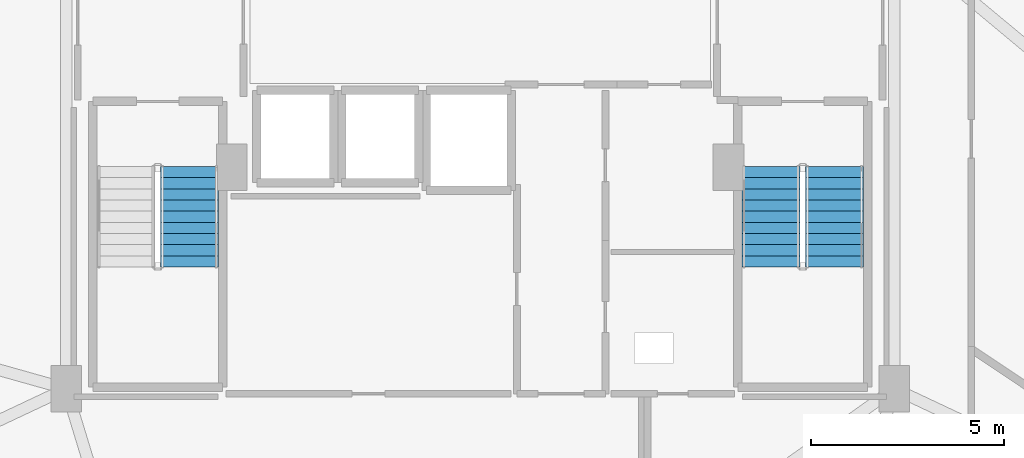
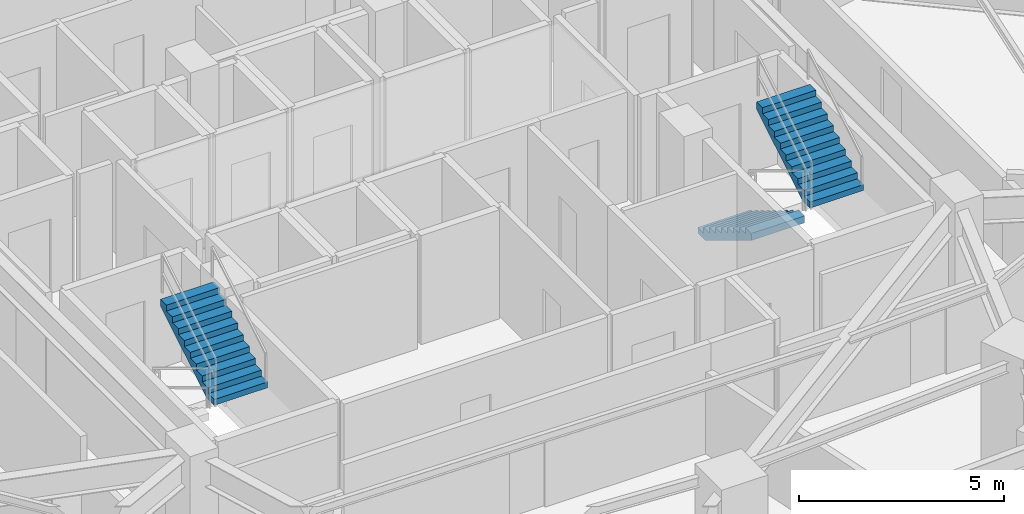
# One storey, part 30 of 33: 3 stair flights, 2 elements without a shape of their own.
"""IFC4 building model written with IfcOpenShell, lengths in metres."""

from ifc_helpers import new_model, si_unit, direction, frame, origin, place, context, subcontext, project, spatial, polyline, outline, extrude, material, type_object, element, aggregate, save


model = new_model("IFC4")

# Units and contexts
model_context = context("Model", 3, precision=1e-05, world=origin(), true_north=direction((0.0, 1.0)))
body_context = subcontext(model_context, "Body", "Model", "MODEL_VIEW")
ifc_project = project(units=[si_unit("LENGTHUNIT", "METRE"), si_unit("AREAUNIT", "SQUARE_METRE"), si_unit("VOLUMEUNIT", "CUBIC_METRE"), si_unit("PLANEANGLEUNIT", "RADIAN"), si_unit("MASSUNIT", "GRAM", prefix="KILO")], contexts=[model_context])

# Site, building, storey
site_placement = place(None, origin())
site = spatial("IfcSite", under=ifc_project, at=site_placement, CompositionType="ELEMENT")
building_placement = place(site_placement, origin())
building = spatial("IfcBuilding", under=site, at=building_placement, Name="Vorneva Point Tower", CompositionType="ELEMENT")
storey_placement = place(building_placement, frame((0.0, 0.0, 34.5)))
storey = spatial("IfcBuildingStorey", under=building, at=storey_placement, Name="L08", CompositionType="ELEMENT", Elevation=34.5)

# Stair, stair flight
ifc_material = material(Name="Concrete B50 (C40/50)", Category="concrete")
stair_type = type_object("IfcStairType", Name="ST-DOG-1500", PredefinedType="HALF_TURN_STAIR", material=ifc_material)
stair_1_placement = place(storey_placement, origin())
stair_1 = element("IfcStair", 1, at=stair_1_placement, inside=storey, type_object=stair_type, Name="L08 ST1", PredefinedType="HALF_TURN_STAIR")
stair_flight_type = type_object("IfcStairFlightType", Name="STF-1500", PredefinedType="STRAIGHT", material=ifc_material)
stair_flight_1_placement = place(storey_placement, frame((30.449951171875, 19.610107421875, 1.75), z_axis=(0.0, 0.0, 1.0), x_axis=(0.0, 1.0, 0.0)))
stair_flight_1 = element("IfcStairFlight", 2, at=stair_flight_1_placement, type_object=stair_flight_type, Name="ST1 flight 2", NumberOfRisers=10, NumberOfTreads=9, PredefinedType="STRAIGHT", RiserHeight=0.175, TreadLength=0.29, context=body_context, shape_type="SweptSolid", body=[
    extrude(outline(polyline([(0.0, 0.0), (0.0, 0.175048828125), (0.2900390625, 0.175048828125), (0.2900390625, 0.35009765625), (0.580078125, 0.35009765625), (0.580078125, 0.52490234375), (0.8701171875, 0.52490234375), (0.8701171875, 0.699951171875), (1.159912109375, 0.699951171875), (1.159912109375, 0.875), (1.449951171875, 0.875), (1.449951171875, 1.050048828125), (1.739990234375, 1.050048828125), (1.739990234375, 1.22509765625), (2.030029296875, 1.22509765625), (2.030029296875, 1.39990234375), (2.320068359375, 1.39990234375), (2.320068359375, 1.574951171875), (2.610107421875, 1.574951171875), (2.610107421875, 1.75), (2.610107421875, 1.36474609375), (0.34814453125, 0.0), (0.0, 0.0)])), frame((0.0, 0.75, 0.0), z_axis=(0.0, -1.0, 0.0), x_axis=(1.0, 0.0, 0.0)), (0.0, 0.0, 1.0), 1.5),
])
aggregate(stair_1, [stair_flight_1])

# Stair, stair flights
stair_2_placement = place(storey_placement, origin())
stair_2 = element("IfcStair", 3, at=stair_2_placement, inside=storey, type_object=stair_type, Name="L08 ST2", PredefinedType="HALF_TURN_STAIR")
stair_flight_2_placement = place(storey_placement, frame((45.550048828125, 22.219970703125, 0.0), z_axis=(0.0, 0.0, 1.0), x_axis=(0.0, -1.0, 0.0)))
stair_flight_2 = element("IfcStairFlight", 4, at=stair_flight_2_placement, type_object=stair_flight_type, Name="ST2 flight 1", NumberOfRisers=10, NumberOfTreads=9, PredefinedType="STRAIGHT", RiserHeight=0.175, TreadLength=0.29, context=body_context, shape_type="SweptSolid", body=[
    extrude(outline(polyline([(0.0, 0.0), (0.0, 0.175048828125), (0.2900390625, 0.175048828125), (0.2900390625, 0.35009765625), (0.580078125, 0.35009765625), (0.580078125, 0.52490234375), (0.8701171875, 0.52490234375), (0.8701171875, 0.699951171875), (1.159912109375, 0.699951171875), (1.159912109375, 0.875), (1.449951171875, 0.875), (1.449951171875, 1.050048828125), (1.739990234375, 1.050048828125), (1.739990234375, 1.22509765625), (2.030029296875, 1.22509765625), (2.030029296875, 1.39990234375), (2.320068359375, 1.39990234375), (2.320068359375, 1.574951171875), (2.610107421875, 1.574951171875), (2.610107421875, 1.75), (2.610107421875, 1.36474609375), (0.34814453125, 0.0), (0.0, 0.0)])), frame((0.0, 0.75, 0.0), z_axis=(0.0, -1.0, 0.0), x_axis=(1.0, 0.0, 0.0)), (0.0, 0.0, 1.0), 1.5),
])
stair_flight_3_placement = place(storey_placement, frame((47.199951171875, 19.610107421875, 1.75), z_axis=(0.0, 0.0, 1.0), x_axis=(0.0, 1.0, 0.0)))
stair_flight_3 = element("IfcStairFlight", 5, at=stair_flight_3_placement, type_object=stair_flight_type, Name="ST2 flight 2", NumberOfRisers=10, NumberOfTreads=9, PredefinedType="STRAIGHT", RiserHeight=0.175, TreadLength=0.29, context=body_context, shape_type="SweptSolid", body=[
    extrude(outline(polyline([(0.0, 0.0), (0.0, 0.175048828125), (0.2900390625, 0.175048828125), (0.2900390625, 0.35009765625), (0.580078125, 0.35009765625), (0.580078125, 0.52490234375), (0.8701171875, 0.52490234375), (0.8701171875, 0.699951171875), (1.159912109375, 0.699951171875), (1.159912109375, 0.875), (1.449951171875, 0.875), (1.449951171875, 1.050048828125), (1.739990234375, 1.050048828125), (1.739990234375, 1.22509765625), (2.030029296875, 1.22509765625), (2.030029296875, 1.39990234375), (2.320068359375, 1.39990234375), (2.320068359375, 1.574951171875), (2.610107421875, 1.574951171875), (2.610107421875, 1.75), (2.610107421875, 1.36474609375), (0.34814453125, 0.0), (0.0, 0.0)])), frame((0.0, 0.75, 0.0), z_axis=(0.0, -1.0, 0.0), x_axis=(1.0, 0.0, 0.0)), (0.0, 0.0, 1.0), 1.5),
])
aggregate(stair_2, [stair_flight_2, stair_flight_3])

save(model, "model.ifc")
